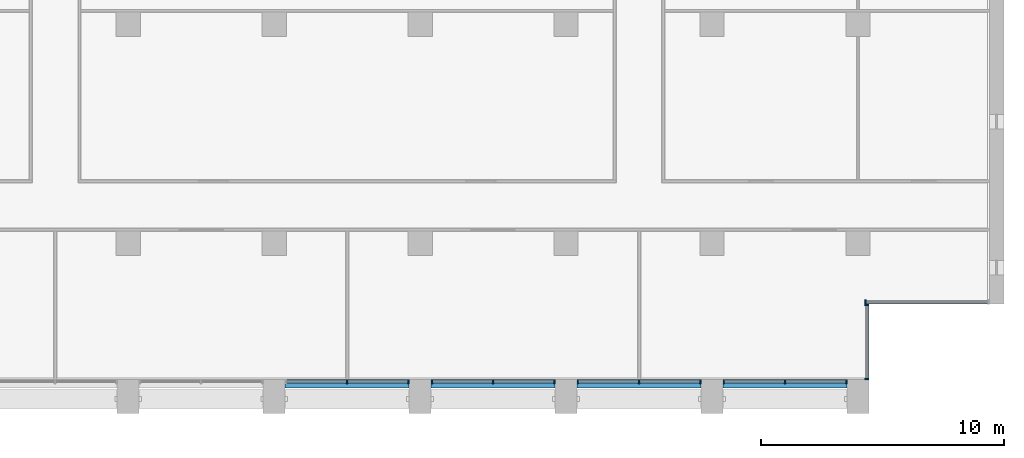
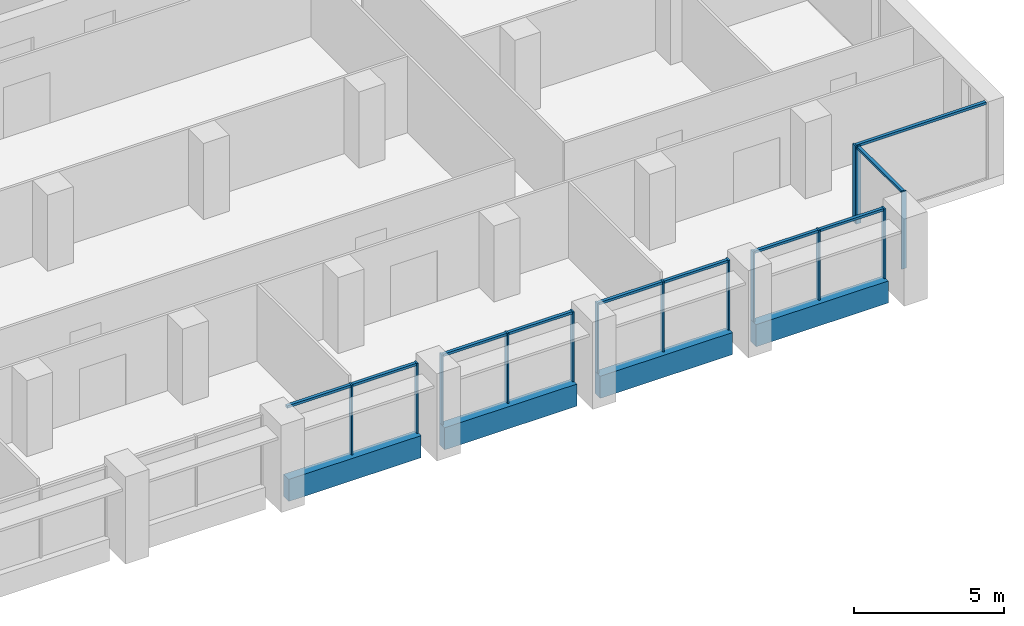
# One storey, part 3 of 16: 24 members, 4 beams, 6 elements without a shape of their own.
"""IFC4 building model written with IfcOpenShell, lengths in metres."""

from ifc_helpers import new_model, si_unit, direction, frame, origin, origin_2d, place, context, subcontext, project, spatial, rectangle, extrude, material, material_profile, profile_set, type_object, element, aggregate, save


model = new_model("IFC4")

# Units and contexts
model_context = context("Model", 3, precision=1e-05, world=origin(), true_north=direction((0.0, 1.0)))
body_context = subcontext(model_context, "Body", "Model", "MODEL_VIEW")
ifc_project = project(units=[si_unit("LENGTHUNIT", "METRE"), si_unit("AREAUNIT", "SQUARE_METRE"), si_unit("VOLUMEUNIT", "CUBIC_METRE"), si_unit("PLANEANGLEUNIT", "RADIAN"), si_unit("MASSUNIT", "GRAM", prefix="KILO")], contexts=[model_context])

# Site, building, storey
site_placement = place(None, origin())
site = spatial("IfcSite", under=ifc_project, at=site_placement, CompositionType="ELEMENT")
building_placement = place(site_placement, origin())
building = spatial("IfcBuilding", under=site, at=building_placement, Name="Calvaro Tower", CompositionType="ELEMENT")
storey_placement = place(building_placement, frame((0.0, 0.0, 223.0)))
storey = spatial("IfcBuildingStorey", under=building, at=storey_placement, Name="L56", CompositionType="ELEMENT", Elevation=223.0)

# Curtain wall, members
ifc_material_1 = material(Name="Anodised aluminium", Category="aluminium")
curtain_wall_type = type_object("IfcCurtainWallType", Name="Office curtain wall, upper zone", PredefinedType="NOTDEFINED", material=ifc_material_1)
curtain_wall_1_placement = place(storey_placement, origin())
curtain_wall_1 = element("IfcCurtainWall", 1, at=curtain_wall_1_placement, inside=storey, type_object=curtain_wall_type, Name="CW3 south curtain wall", PredefinedType="NOTDEFINED")
ifc_material_2 = material(Name="Anodised aluminium", Category="aluminium")
ifc_material_profile_1 = material_profile(ifc_material_2, rectangle(XDim=0.179931640625, YDim=0.06005859375, at=origin_2d()), Name="Mullion S3 60 x 180")
ifc_profile_set_1 = profile_set([ifc_material_profile_1], Name="Anodised aluminium")
member_type_1 = type_object("IfcMemberType", Name="Mullion S3 60 x 180", PredefinedType="MULLION", material=ifc_profile_set_1)
member_1_placement = place(storey_placement, frame((45.0, 4.31005859375, 0.0), z_axis=(0.0, 0.0, 1.0), x_axis=(0.0, 1.0, 0.0)))
member_1 = element("IfcMember", 2, at=member_1_placement, type_object=member_type_1, Name="CW3 mullion 2", PredefinedType="MULLION", context=body_context, shape_type="SweptSolid", body=[
    extrude(rectangle(XDim=0.179931640625, YDim=0.06005859375, at=origin_2d()), origin(), (0.0, 0.0, 1.0), 2.85009765625),
])
member_2_placement = place(storey_placement, frame((47.52001953125, 4.31005859375, 0.0), z_axis=(0.0, 0.0, 1.0), x_axis=(0.0, 1.0, 0.0)))
member_2 = element("IfcMember", 3, at=member_2_placement, type_object=member_type_1, Name="CW3 mullion 3", PredefinedType="MULLION", context=body_context, shape_type="SweptSolid", body=[
    extrude(rectangle(XDim=0.179931640625, YDim=0.06005859375, at=origin_2d()), origin(), (0.0, 0.0, 1.0), 2.85009765625),
])

curtain_wall_2_placement = place(storey_placement, origin())
curtain_wall_2 = element("IfcCurtainWall", 4, at=curtain_wall_2_placement, inside=storey, type_object=curtain_wall_type, Name="CW3 south curtain wall", PredefinedType="NOTDEFINED")
member_3_placement = place(storey_placement, frame((48.47998046875, 4.31005859375, 0.0), z_axis=(0.0, 0.0, 1.0), x_axis=(0.0, 1.0, 0.0)))
member_3 = element("IfcMember", 5, at=member_3_placement, type_object=member_type_1, Name="CW3 mullion 1", PredefinedType="MULLION", context=body_context, shape_type="SweptSolid", body=[
    extrude(rectangle(XDim=0.179931640625, YDim=0.06005859375, at=origin_2d()), origin(), (0.0, 0.0, 1.0), 2.85009765625),
])
member_4_placement = place(storey_placement, frame((51.0, 4.31005859375, 0.0), z_axis=(0.0, 0.0, 1.0), x_axis=(0.0, 1.0, 0.0)))
member_4 = element("IfcMember", 6, at=member_4_placement, type_object=member_type_1, Name="CW3 mullion 2", PredefinedType="MULLION", context=body_context, shape_type="SweptSolid", body=[
    extrude(rectangle(XDim=0.179931640625, YDim=0.06005859375, at=origin_2d()), origin(), (0.0, 0.0, 1.0), 2.85009765625),
])
member_5_placement = place(storey_placement, frame((53.52001953125, 4.31005859375, 0.0), z_axis=(0.0, 0.0, 1.0), x_axis=(0.0, 1.0, 0.0)))
member_5 = element("IfcMember", 7, at=member_5_placement, type_object=member_type_1, Name="CW3 mullion 3", PredefinedType="MULLION", context=body_context, shape_type="SweptSolid", body=[
    extrude(rectangle(XDim=0.179931640625, YDim=0.06005859375, at=origin_2d()), origin(), (0.0, 0.0, 1.0), 2.85009765625),
])

curtain_wall_3_placement = place(storey_placement, origin())
curtain_wall_3 = element("IfcCurtainWall", 8, at=curtain_wall_3_placement, inside=storey, type_object=curtain_wall_type, Name="CW3 south curtain wall", PredefinedType="NOTDEFINED")
member_6_placement = place(storey_placement, frame((54.47998046875, 4.31005859375, 0.0), z_axis=(0.0, 0.0, 1.0), x_axis=(0.0, 1.0, 0.0)))
member_6 = element("IfcMember", 9, at=member_6_placement, type_object=member_type_1, Name="CW3 mullion 1", PredefinedType="MULLION", context=body_context, shape_type="SweptSolid", body=[
    extrude(rectangle(XDim=0.179931640625, YDim=0.06005859375, at=origin_2d()), origin(), (0.0, 0.0, 1.0), 2.85009765625),
])
member_7_placement = place(storey_placement, frame((57.0, 4.31005859375, 0.0), z_axis=(0.0, 0.0, 1.0), x_axis=(0.0, 1.0, 0.0)))
member_7 = element("IfcMember", 10, at=member_7_placement, type_object=member_type_1, Name="CW3 mullion 2", PredefinedType="MULLION", context=body_context, shape_type="SweptSolid", body=[
    extrude(rectangle(XDim=0.179931640625, YDim=0.06005859375, at=origin_2d()), origin(), (0.0, 0.0, 1.0), 2.85009765625),
])
member_8_placement = place(storey_placement, frame((59.52001953125, 4.31005859375, 0.0), z_axis=(0.0, 0.0, 1.0), x_axis=(0.0, 1.0, 0.0)))
member_8 = element("IfcMember", 11, at=member_8_placement, type_object=member_type_1, Name="CW3 mullion 3", PredefinedType="MULLION", context=body_context, shape_type="SweptSolid", body=[
    extrude(rectangle(XDim=0.179931640625, YDim=0.06005859375, at=origin_2d()), origin(), (0.0, 0.0, 1.0), 2.85009765625),
])

curtain_wall_4_placement = place(storey_placement, origin())
curtain_wall_4 = element("IfcCurtainWall", 12, at=curtain_wall_4_placement, inside=storey, type_object=curtain_wall_type, Name="CW3 south curtain wall", PredefinedType="NOTDEFINED")
member_9_placement = place(storey_placement, frame((60.47998046875, 4.31005859375, 0.0), z_axis=(0.0, 0.0, 1.0), x_axis=(0.0, 1.0, 0.0)))
member_9 = element("IfcMember", 13, at=member_9_placement, type_object=member_type_1, Name="CW3 mullion 1", PredefinedType="MULLION", context=body_context, shape_type="SweptSolid", body=[
    extrude(rectangle(XDim=0.179931640625, YDim=0.06005859375, at=origin_2d()), origin(), (0.0, 0.0, 1.0), 2.85009765625),
])
member_10_placement = place(storey_placement, frame((63.0, 4.31005859375, 0.0), z_axis=(0.0, 0.0, 1.0), x_axis=(0.0, 1.0, 0.0)))
member_10 = element("IfcMember", 14, at=member_10_placement, type_object=member_type_1, Name="CW3 mullion 2", PredefinedType="MULLION", context=body_context, shape_type="SweptSolid", body=[
    extrude(rectangle(XDim=0.179931640625, YDim=0.06005859375, at=origin_2d()), origin(), (0.0, 0.0, 1.0), 2.85009765625),
])
member_11_placement = place(storey_placement, frame((65.52001953125, 4.31005859375, 0.0), z_axis=(0.0, 0.0, 1.0), x_axis=(0.0, 1.0, 0.0)))
member_11 = element("IfcMember", 15, at=member_11_placement, type_object=member_type_1, Name="CW3 mullion 3", PredefinedType="MULLION", context=body_context, shape_type="SweptSolid", body=[
    extrude(rectangle(XDim=0.179931640625, YDim=0.06005859375, at=origin_2d()), origin(), (0.0, 0.0, 1.0), 2.85009765625),
])

curtain_wall_5_placement = place(storey_placement, origin())
curtain_wall_5 = element("IfcCurtainWall", 16, at=curtain_wall_5_placement, inside=storey, type_object=curtain_wall_type, Name="CW3 corner curtain wall", PredefinedType="NOTDEFINED")
member_12_placement = place(storey_placement, frame((66.360107421875, 4.429931640625, 0.0), z_axis=(0.0, 0.0, 1.0), x_axis=(-1.0, 0.0, 0.0)))
member_12 = element("IfcMember", 17, at=member_12_placement, type_object=member_type_1, Name="CW3 mullion 1", PredefinedType="MULLION", context=body_context, shape_type="SweptSolid", body=[
    extrude(rectangle(XDim=0.179931640625, YDim=0.06005859375, at=origin_2d()), origin(), (0.0, 0.0, 1.0), 3.14990234375),
])
member_13_placement = place(storey_placement, frame((66.360107421875, 7.469970703125, 0.0), z_axis=(0.0, 0.0, 1.0), x_axis=(-1.0, 0.0, 0.0)))
member_13 = element("IfcMember", 18, at=member_13_placement, type_object=member_type_1, Name="CW3 mullion 2", PredefinedType="MULLION", context=body_context, shape_type="SweptSolid", body=[
    extrude(rectangle(XDim=0.179931640625, YDim=0.06005859375, at=origin_2d()), origin(), (0.0, 0.0, 1.0), 3.14990234375),
])

# Curtain wall, member
curtain_wall_6_placement = place(storey_placement, origin())
curtain_wall_6 = element("IfcCurtainWall", 19, at=curtain_wall_6_placement, inside=storey, type_object=curtain_wall_type, Name="CW3 corner curtain wall", PredefinedType="NOTDEFINED")
member_14_placement = place(storey_placement, frame((66.300048828125, 7.590087890625, 0.0), z_axis=(0.0, 0.0, 1.0), x_axis=(0.0, 1.0, 0.0)))
member_14 = element("IfcMember", 20, at=member_14_placement, type_object=member_type_1, Name="CW3 mullion 1", PredefinedType="MULLION", context=body_context, shape_type="SweptSolid", body=[
    extrude(rectangle(XDim=0.179931640625, YDim=0.06005859375, at=origin_2d()), origin(), (0.0, 0.0, 1.0), 3.14990234375),
])

# Beams
ifc_material_3 = material(Name="Concrete C50/60 precast", Category="concrete")
ifc_material_profile_2 = material_profile(ifc_material_3, rectangle(XDim=0.35009765625, YDim=0.89990234375, at=origin_2d()), Name="RC 350x900")
ifc_profile_set_2 = profile_set([ifc_material_profile_2], Name="Concrete C50/60 precast")
beam_type = type_object("IfcBeamType", Name="Spandrel beam 350x900 C50/60", PredefinedType="SPANDREL", material=ifc_profile_set_2)
for number, where, z_axis, x_axis, name in (
    (21, (42.449951171875, 4.22509765625, -0.449951171875), (1.0, 0.0, 0.0), (0.0, 1.0, 0.0), "Spandrel beam"),
    (22, (48.449951171875, 4.22509765625, -0.449951171875), (1.0, 0.0, 0.0), (0.0, 1.0, 0.0), "Spandrel beam"),
    (23, (54.449951171875, 4.22509765625, -0.449951171875), (1.0, 0.0, 0.0), (0.0, 1.0, 0.0), "Spandrel beam"),
    (24, (60.449951171875, 4.22509765625, -0.449951171875), (1.0, 0.0, 0.0), (0.0, 1.0, 0.0), "Spandrel beam"),
):
    element("IfcBeam", number, at=place(storey_placement, frame(where, z_axis=z_axis, x_axis=x_axis)), inside=storey, type_object=beam_type, Name=name, PredefinedType="SPANDREL", context=body_context, shape_type="SweptSolid", body=[
        extrude(rectangle(XDim=0.35009765625, YDim=0.89990234375, at=origin_2d()), origin(), (0.0, 0.0, 1.0), 5.10009765625),
    ])

# Member
ifc_material_4 = material(Name="Anodised aluminium", Category="aluminium")
ifc_material_profile_3 = material_profile(ifc_material_4, rectangle(XDim=0.1201171875, YDim=0.10009765625, at=origin_2d()), Name="Transom S3 100 x 120")
ifc_profile_set_3 = profile_set([ifc_material_profile_3], Name="Anodised aluminium")
member_type_2 = type_object("IfcMemberType", Name="Transom S3 100 x 120", PredefinedType="USERDEFINED", material=ifc_profile_set_3)
member_15_placement = place(storey_placement, frame((42.510009765625, 4.31005859375, 2.800048828125), z_axis=(1.0, 0.0, 0.0), x_axis=(0.0, 1.0, 0.0)))
member_15 = element("IfcMember", 25, at=member_15_placement, type_object=member_type_2, Name="CW3 transom 1.1", ObjectType="TRANSOM", PredefinedType="USERDEFINED", context=body_context, shape_type="SweptSolid", body=[
    extrude(rectangle(XDim=0.1201171875, YDim=0.10009765625, at=origin_2d()), origin(), (0.0, 0.0, 1.0), 2.4599609375),
])

member_16_placement = place(storey_placement, frame((45.030029296875, 4.31005859375, 2.800048828125), z_axis=(1.0, 0.0, 0.0), x_axis=(0.0, 1.0, 0.0)))
member_16 = element("IfcMember", 26, at=member_16_placement, type_object=member_type_2, Name="CW3 transom 2.1", ObjectType="TRANSOM", PredefinedType="USERDEFINED", context=body_context, shape_type="SweptSolid", body=[
    extrude(rectangle(XDim=0.1201171875, YDim=0.10009765625, at=origin_2d()), origin(), (0.0, 0.0, 1.0), 2.4599609375),
])

aggregate(curtain_wall_1, [member_1, member_2, member_15, member_16])

member_17_placement = place(storey_placement, frame((48.510009765625, 4.31005859375, 2.800048828125), z_axis=(1.0, 0.0, 0.0), x_axis=(0.0, 1.0, 0.0)))
member_17 = element("IfcMember", 27, at=member_17_placement, type_object=member_type_2, Name="CW3 transom 1.1", ObjectType="TRANSOM", PredefinedType="USERDEFINED", context=body_context, shape_type="SweptSolid", body=[
    extrude(rectangle(XDim=0.1201171875, YDim=0.10009765625, at=origin_2d()), origin(), (0.0, 0.0, 1.0), 2.4599609375),
])

member_18_placement = place(storey_placement, frame((51.030029296875, 4.31005859375, 2.800048828125), z_axis=(1.0, 0.0, 0.0), x_axis=(0.0, 1.0, 0.0)))
member_18 = element("IfcMember", 28, at=member_18_placement, type_object=member_type_2, Name="CW3 transom 2.1", ObjectType="TRANSOM", PredefinedType="USERDEFINED", context=body_context, shape_type="SweptSolid", body=[
    extrude(rectangle(XDim=0.1201171875, YDim=0.10009765625, at=origin_2d()), origin(), (0.0, 0.0, 1.0), 2.4599609375),
])

aggregate(curtain_wall_2, [member_3, member_4, member_5, member_17, member_18])

member_19_placement = place(storey_placement, frame((54.510009765625, 4.31005859375, 2.800048828125), z_axis=(1.0, 0.0, 0.0), x_axis=(0.0, 1.0, 0.0)))
member_19 = element("IfcMember", 29, at=member_19_placement, type_object=member_type_2, Name="CW3 transom 1.1", ObjectType="TRANSOM", PredefinedType="USERDEFINED", context=body_context, shape_type="SweptSolid", body=[
    extrude(rectangle(XDim=0.1201171875, YDim=0.10009765625, at=origin_2d()), origin(), (0.0, 0.0, 1.0), 2.4599609375),
])

member_20_placement = place(storey_placement, frame((57.030029296875, 4.31005859375, 2.800048828125), z_axis=(1.0, 0.0, 0.0), x_axis=(0.0, 1.0, 0.0)))
member_20 = element("IfcMember", 30, at=member_20_placement, type_object=member_type_2, Name="CW3 transom 2.1", ObjectType="TRANSOM", PredefinedType="USERDEFINED", context=body_context, shape_type="SweptSolid", body=[
    extrude(rectangle(XDim=0.1201171875, YDim=0.10009765625, at=origin_2d()), origin(), (0.0, 0.0, 1.0), 2.4599609375),
])

aggregate(curtain_wall_3, [member_6, member_7, member_8, member_19, member_20])

member_21_placement = place(storey_placement, frame((60.510009765625, 4.31005859375, 2.800048828125), z_axis=(1.0, 0.0, 0.0), x_axis=(0.0, 1.0, 0.0)))
member_21 = element("IfcMember", 31, at=member_21_placement, type_object=member_type_2, Name="CW3 transom 1.1", ObjectType="TRANSOM", PredefinedType="USERDEFINED", context=body_context, shape_type="SweptSolid", body=[
    extrude(rectangle(XDim=0.1201171875, YDim=0.10009765625, at=origin_2d()), origin(), (0.0, 0.0, 1.0), 2.4599609375),
])

member_22_placement = place(storey_placement, frame((63.030029296875, 4.31005859375, 2.800048828125), z_axis=(1.0, 0.0, 0.0), x_axis=(0.0, 1.0, 0.0)))
member_22 = element("IfcMember", 32, at=member_22_placement, type_object=member_type_2, Name="CW3 transom 2.1", ObjectType="TRANSOM", PredefinedType="USERDEFINED", context=body_context, shape_type="SweptSolid", body=[
    extrude(rectangle(XDim=0.1201171875, YDim=0.10009765625, at=origin_2d()), origin(), (0.0, 0.0, 1.0), 2.4599609375),
])

aggregate(curtain_wall_4, [member_9, member_10, member_11, member_21, member_22])

member_23_placement = place(storey_placement, frame((66.360107421875, 4.4599609375, 3.10009765625), z_axis=(0.0, 1.0, 0.0), x_axis=(-1.0, 0.0, 0.0)))
member_23 = element("IfcMember", 33, at=member_23_placement, type_object=member_type_2, Name="CW3 transom 1.1", ObjectType="TRANSOM", PredefinedType="USERDEFINED", context=body_context, shape_type="SweptSolid", body=[
    extrude(rectangle(XDim=0.1201171875, YDim=0.10009765625, at=origin_2d()), origin(), (0.0, 0.0, 1.0), 2.97998046875),
])

aggregate(curtain_wall_5, [member_12, member_13, member_23])

member_24_placement = place(storey_placement, frame((66.330078125, 7.590087890625, 3.10009765625), z_axis=(1.0, 0.0, 0.0), x_axis=(0.0, 1.0, 0.0)))
member_24 = element("IfcMember", 34, at=member_24_placement, type_object=member_type_2, Name="CW3 transom 1.1", ObjectType="TRANSOM", PredefinedType="USERDEFINED", context=body_context, shape_type="SweptSolid", body=[
    extrude(rectangle(XDim=0.1201171875, YDim=0.10009765625, at=origin_2d()), origin(), (0.0, 0.0, 1.0), 5.010009765625),
])

aggregate(curtain_wall_6, [member_14, member_24])

save(model, "model.ifc")
